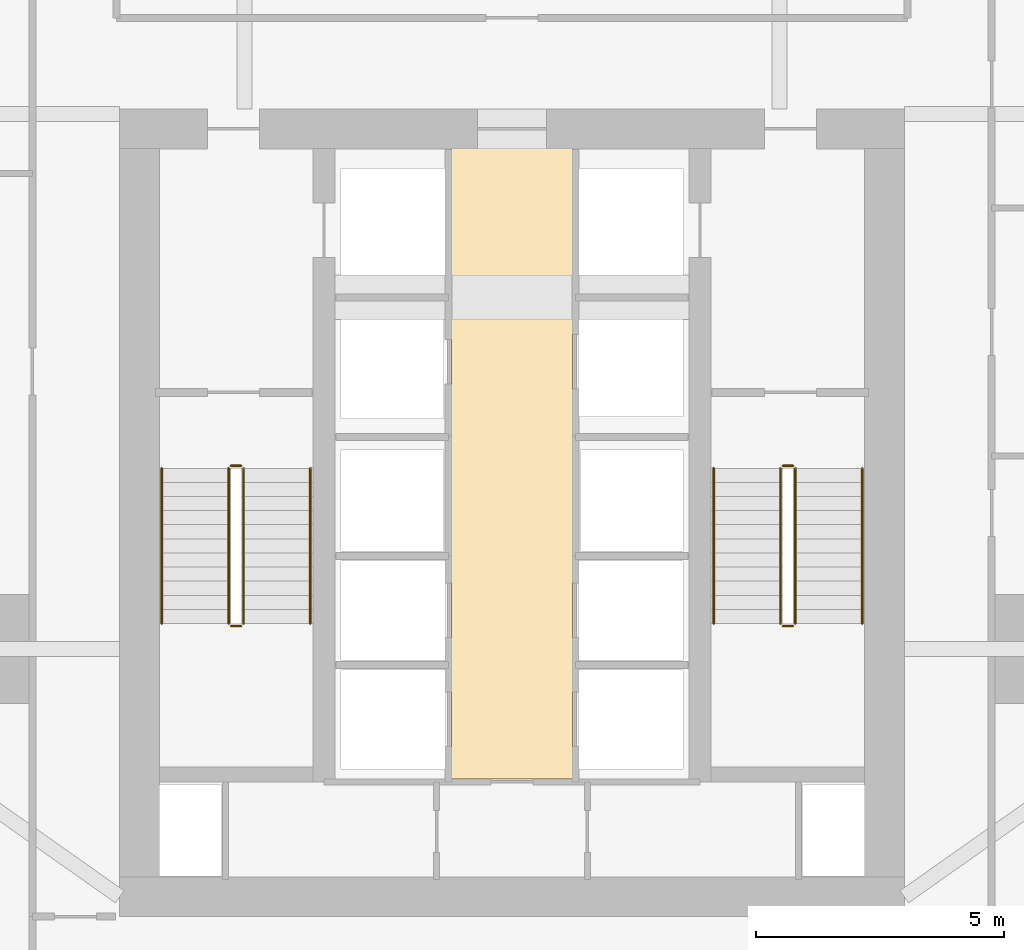
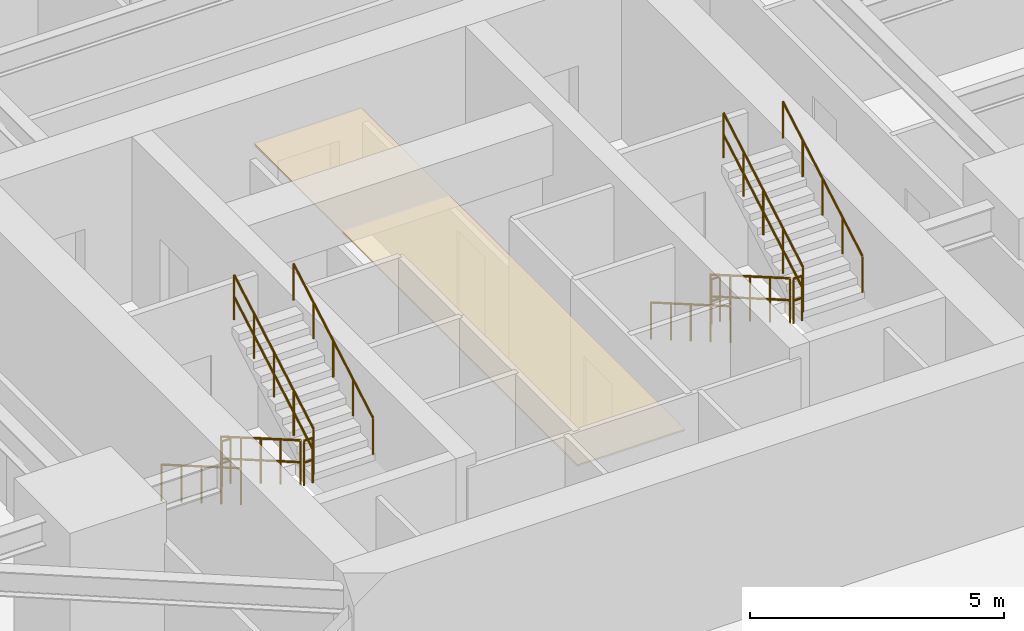
# One storey, part 29 of 30: 12 railings, 1 covering.
"""IFC4 building model written with IfcOpenShell, lengths in metres."""

from ifc_helpers import new_model, si_unit, direction, frame, origin, origin_2d, place, context, subcontext, project, spatial, polyline, circle, outline, extrude, material, layer, layer_set, type_object, element, save


model = new_model("IFC4")

# Units and contexts
model_context = context("Model", 3, precision=1e-05, world=origin(), true_north=direction((0.0, 1.0)))
body_context = subcontext(model_context, "Body", "Model", "MODEL_VIEW")
ifc_project = project(units=[si_unit("LENGTHUNIT", "METRE"), si_unit("AREAUNIT", "SQUARE_METRE"), si_unit("VOLUMEUNIT", "CUBIC_METRE"), si_unit("PLANEANGLEUNIT", "RADIAN"), si_unit("MASSUNIT", "GRAM", prefix="KILO")], contexts=[model_context])

# Site, building, storey
site_placement = place(None, origin())
site = spatial("IfcSite", under=ifc_project, at=site_placement, CompositionType="ELEMENT")
building_placement = place(site_placement, origin())
building = spatial("IfcBuilding", under=site, at=building_placement, Name="Krantzveldt Concourse Tower", CompositionType="ELEMENT")
storey_placement = place(building_placement, frame((0.0, 0.0, 44.75)))
storey = spatial("IfcBuildingStorey", under=building, at=storey_placement, Name="L10", CompositionType="ELEMENT", Elevation=44.75)

# Covering
ifc_material_1 = material(Name="Perforated acoustic mineral-fibre ceiling tile", Category="ceiling")
ifc_layer_1 = layer(ifc_material_1, 0.0400390625, Name="Perforated acoustic mineral-fibre ceiling tile", Category="ceiling")
ifc_layer_set_1 = layer_set([ifc_layer_1], Name="Perforated acoustic mineral-fibre ceiling tile (COV-CEIL-ACOUSTIC)")
covering_type = type_object("IfcCoveringType", Name="COV-CEIL-ACOUSTIC", PredefinedType="CEILING", material=ifc_layer_set_1)
covering_placement = place(storey_placement, frame((0.0, 0.0, 2.75)))
element("IfcCovering", 1, at=covering_placement, inside=storey, type_object=covering_type, Name="CLG-L10-LLB", PredefinedType="CEILING", context=body_context, shape_type="SweptSolid", body=[
    extrude(outline(polyline([(37.22509765625, 13.27490234375), (34.77490234375, 13.27490234375), (34.77490234375, 26.044921875), (37.22509765625, 26.044921875), (37.22509765625, 13.27490234375)])), origin(), (0.0, 0.0, 1.0), 0.0400390625),
])

# Railings
ifc_material_2 = material(Name="Stainless steel 316L", Category="steel")
ifc_layer_2 = layer(ifc_material_2, 0.06005859375, Name="Stainless steel 316L", Category="steel")
ifc_layer_set_2 = layer_set([ifc_layer_2], Name="Stainless steel 316L (RL-GUARD-1120)")
railing_type_1 = type_object("IfcRailingType", Name="RL-GUARD-1120", PredefinedType="GUARDRAIL", material=ifc_layer_set_2)
railing_1_placement = place(storey_placement, frame((30.280029296875, 19.550048828125, 0.16455078125)))
element("IfcRailing", 2, at=railing_1_placement, inside=storey, type_object=railing_type_1, Name="L10 ST-1 stair guard 1", PredefinedType="GUARDRAIL", context=body_context, shape_type="SweptSolid", body=[
    extrude(circle(Radius=0.02392578125, at=origin_2d()), frame((0.0, 0.0, 1.076171875), z_axis=(0.0, -0.865959834175, 0.500113552702), x_axis=(1.0, 0.0, 0.0)), (0.0, 0.0, 1.0), 3.620361328125),
    extrude(circle(Radius=0.02392578125, at=origin_2d()), frame((0.0, 0.0, 0.550048828125), z_axis=(0.0, -0.865959834175, 0.500113552702), x_axis=(1.0, 0.0, 0.0)), (0.0, 0.0, 1.0), 3.620361328125),
    extrude(circle(Radius=0.02099609375, at=origin_2d()), origin(), (0.0, 0.0, 1.0), 1.052001953125),
    extrude(circle(Radius=0.02099609375, at=origin_2d()), frame((0.0, -0.78369140625, 0.45263671875)), (0.0, 0.0, 1.0), 1.052001953125),
    extrude(circle(Radius=0.02099609375, at=origin_2d()), frame((0.0, -1.5673828125, 0.9052734375)), (0.0, 0.0, 1.0), 1.052001953125),
    extrude(circle(Radius=0.02099609375, at=origin_2d()), frame((0.0, -2.351318359375, 1.35791015625)), (0.0, 0.0, 1.0), 1.052001953125),
    extrude(circle(Radius=0.02099609375, at=origin_2d()), frame((0.0, -3.135009765625, 1.810546875)), (0.0, 0.0, 1.0), 1.052001953125),
])
railing_2_placement = place(storey_placement, frame((30.330078125, 16.364990234375, 1.97509765625)))
element("IfcRailing", 3, at=railing_2_placement, inside=storey, type_object=railing_type_1, Name="L10 ST-1 stair guard 2", PredefinedType="GUARDRAIL", context=body_context, shape_type="SweptSolid", body=[
    extrude(circle(Radius=0.02392578125, at=origin_2d()), frame((0.0, 0.0, 1.076171875), z_axis=(1.0, 0.0, 0.0), x_axis=(0.0, 1.0, 0.0)), (0.0, 0.0, 1.0), 0.199951171875),
    extrude(circle(Radius=0.02392578125, at=origin_2d()), frame((0.0, 0.0, 0.550048828125), z_axis=(1.0, 0.0, 0.0), x_axis=(0.0, 1.0, 0.0)), (0.0, 0.0, 1.0), 0.199951171875),
    extrude(circle(Radius=0.02099609375, at=origin_2d()), origin(), (0.0, 0.0, 1.0), 1.052001953125),
    extrude(circle(Radius=0.02099609375, at=origin_2d()), frame((0.199951171875, 0.0, 0.0)), (0.0, 0.0, 1.0), 1.052001953125),
])
railing_3_placement = place(storey_placement, frame((30.580078125, 16.4150390625, 2.1396484375)))
element("IfcRailing", 4, at=railing_3_placement, inside=storey, type_object=railing_type_1, Name="L10 ST-1 stair guard 3", PredefinedType="GUARDRAIL", context=body_context, shape_type="SweptSolid", body=[
    extrude(circle(Radius=0.02392578125, at=origin_2d()), frame((0.0, 0.0, 1.076171875), z_axis=(0.0, 0.865989039225, 0.500062979975), x_axis=(-1.0, 0.0, 0.0)), (0.0, 0.0, 1.0), 3.6201171875),
    extrude(circle(Radius=0.02392578125, at=origin_2d()), frame((0.0, 0.0, 0.550048828125), z_axis=(0.0, 0.865989039225, 0.500062979975), x_axis=(-1.0, 0.0, 0.0)), (0.0, 0.0, 1.0), 3.6201171875),
    extrude(circle(Radius=0.02099609375, at=origin_2d()), origin(), (0.0, 0.0, 1.0), 1.052001953125),
    extrude(circle(Radius=0.02099609375, at=origin_2d()), frame((0.0, 0.78369140625, 0.45263671875)), (0.0, 0.0, 1.0), 1.052001953125),
    extrude(circle(Radius=0.02099609375, at=origin_2d()), frame((0.0, 1.5673828125, 0.9052734375)), (0.0, 0.0, 1.0), 1.052001953125),
    extrude(circle(Radius=0.02099609375, at=origin_2d()), frame((0.0, 2.351318359375, 1.357666015625)), (0.0, 0.0, 1.0), 1.052001953125),
    extrude(circle(Radius=0.02099609375, at=origin_2d()), frame((0.0, 3.135009765625, 1.810302734375)), (0.0, 0.0, 1.0), 1.052001953125),
])
railing_4_placement = place(storey_placement, frame((30.330078125, 19.60009765625, 0.0)))
element("IfcRailing", 5, at=railing_4_placement, inside=storey, type_object=railing_type_1, Name="L10 ST-1 stair guard 4", PredefinedType="GUARDRAIL", context=body_context, shape_type="SweptSolid", body=[
    extrude(circle(Radius=0.02392578125, at=origin_2d()), frame((0.0, 0.0, 1.076171875), z_axis=(1.0, 0.0, 0.0), x_axis=(0.0, 1.0, 0.0)), (0.0, 0.0, 1.0), 0.199951171875),
    extrude(circle(Radius=0.02392578125, at=origin_2d()), frame((0.0, 0.0, 0.550048828125), z_axis=(1.0, 0.0, 0.0), x_axis=(0.0, 1.0, 0.0)), (0.0, 0.0, 1.0), 0.199951171875),
    extrude(circle(Radius=0.02099609375, at=origin_2d()), origin(), (0.0, 0.0, 1.0), 1.052001953125),
    extrude(circle(Radius=0.02099609375, at=origin_2d()), frame((0.199951171875, 0.0, 0.0)), (0.0, 0.0, 1.0), 1.052001953125),
])
railing_5_placement = place(storey_placement, frame((41.419921875, 19.550048828125, 0.16455078125)))
element("IfcRailing", 6, at=railing_5_placement, inside=storey, type_object=railing_type_1, Name="L10 ST-2 stair guard 1", PredefinedType="GUARDRAIL", context=body_context, shape_type="SweptSolid", body=[
    extrude(circle(Radius=0.02392578125, at=origin_2d()), frame((0.0, 0.0, 1.076171875), z_axis=(0.0, -0.865959834175, 0.500113552702), x_axis=(1.0, 0.0, 0.0)), (0.0, 0.0, 1.0), 3.620361328125),
    extrude(circle(Radius=0.02392578125, at=origin_2d()), frame((0.0, 0.0, 0.550048828125), z_axis=(0.0, -0.865959834175, 0.500113552702), x_axis=(1.0, 0.0, 0.0)), (0.0, 0.0, 1.0), 3.620361328125),
    extrude(circle(Radius=0.02099609375, at=origin_2d()), origin(), (0.0, 0.0, 1.0), 1.052001953125),
    extrude(circle(Radius=0.02099609375, at=origin_2d()), frame((0.0, -0.78369140625, 0.45263671875)), (0.0, 0.0, 1.0), 1.052001953125),
    extrude(circle(Radius=0.02099609375, at=origin_2d()), frame((0.0, -1.5673828125, 0.9052734375)), (0.0, 0.0, 1.0), 1.052001953125),
    extrude(circle(Radius=0.02099609375, at=origin_2d()), frame((0.0, -2.351318359375, 1.35791015625)), (0.0, 0.0, 1.0), 1.052001953125),
    extrude(circle(Radius=0.02099609375, at=origin_2d()), frame((0.0, -3.135009765625, 1.810546875)), (0.0, 0.0, 1.0), 1.052001953125),
])
railing_6_placement = place(storey_placement, frame((41.469970703125, 16.364990234375, 1.97509765625)))
element("IfcRailing", 7, at=railing_6_placement, inside=storey, type_object=railing_type_1, Name="L10 ST-2 stair guard 2", PredefinedType="GUARDRAIL", context=body_context, shape_type="SweptSolid", body=[
    extrude(circle(Radius=0.02392578125, at=origin_2d()), frame((0.0, 0.0, 1.076171875), z_axis=(1.0, 0.0, 0.0), x_axis=(0.0, 1.0, 0.0)), (0.0, 0.0, 1.0), 0.199951171875),
    extrude(circle(Radius=0.02392578125, at=origin_2d()), frame((0.0, 0.0, 0.550048828125), z_axis=(1.0, 0.0, 0.0), x_axis=(0.0, 1.0, 0.0)), (0.0, 0.0, 1.0), 0.199951171875),
    extrude(circle(Radius=0.02099609375, at=origin_2d()), origin(), (0.0, 0.0, 1.0), 1.052001953125),
    extrude(circle(Radius=0.02099609375, at=origin_2d()), frame((0.199951171875, 0.0, 0.0)), (0.0, 0.0, 1.0), 1.052001953125),
])
railing_7_placement = place(storey_placement, frame((41.719970703125, 16.4150390625, 2.1396484375)))
element("IfcRailing", 8, at=railing_7_placement, inside=storey, type_object=railing_type_1, Name="L10 ST-2 stair guard 3", PredefinedType="GUARDRAIL", context=body_context, shape_type="SweptSolid", body=[
    extrude(circle(Radius=0.02392578125, at=origin_2d()), frame((0.0, 0.0, 1.076171875), z_axis=(0.0, 0.865989039225, 0.500062979975), x_axis=(-1.0, 0.0, 0.0)), (0.0, 0.0, 1.0), 3.6201171875),
    extrude(circle(Radius=0.02392578125, at=origin_2d()), frame((0.0, 0.0, 0.550048828125), z_axis=(0.0, 0.865989039225, 0.500062979975), x_axis=(-1.0, 0.0, 0.0)), (0.0, 0.0, 1.0), 3.6201171875),
    extrude(circle(Radius=0.02099609375, at=origin_2d()), origin(), (0.0, 0.0, 1.0), 1.052001953125),
    extrude(circle(Radius=0.02099609375, at=origin_2d()), frame((0.0, 0.78369140625, 0.45263671875)), (0.0, 0.0, 1.0), 1.052001953125),
    extrude(circle(Radius=0.02099609375, at=origin_2d()), frame((0.0, 1.5673828125, 0.9052734375)), (0.0, 0.0, 1.0), 1.052001953125),
    extrude(circle(Radius=0.02099609375, at=origin_2d()), frame((0.0, 2.351318359375, 1.357666015625)), (0.0, 0.0, 1.0), 1.052001953125),
    extrude(circle(Radius=0.02099609375, at=origin_2d()), frame((0.0, 3.135009765625, 1.810302734375)), (0.0, 0.0, 1.0), 1.052001953125),
])
railing_8_placement = place(storey_placement, frame((41.469970703125, 19.60009765625, 0.0)))
element("IfcRailing", 9, at=railing_8_placement, inside=storey, type_object=railing_type_1, Name="L10 ST-2 stair guard 4", PredefinedType="GUARDRAIL", context=body_context, shape_type="SweptSolid", body=[
    extrude(circle(Radius=0.02392578125, at=origin_2d()), frame((0.0, 0.0, 1.076171875), z_axis=(1.0, 0.0, 0.0), x_axis=(0.0, 1.0, 0.0)), (0.0, 0.0, 1.0), 0.199951171875),
    extrude(circle(Radius=0.02392578125, at=origin_2d()), frame((0.0, 0.0, 0.550048828125), z_axis=(1.0, 0.0, 0.0), x_axis=(0.0, 1.0, 0.0)), (0.0, 0.0, 1.0), 0.199951171875),
    extrude(circle(Radius=0.02099609375, at=origin_2d()), origin(), (0.0, 0.0, 1.0), 1.052001953125),
    extrude(circle(Radius=0.02099609375, at=origin_2d()), frame((0.199951171875, 0.0, 0.0)), (0.0, 0.0, 1.0), 1.052001953125),
])
ifc_layer_3 = layer(ifc_material_2, 0.050048828125, Name="Stainless steel 316L", Category="steel")
ifc_layer_set_3 = layer_set([ifc_layer_3], Name="Stainless steel 316L (RL-HANDRAIL-920)")
railing_type_2 = type_object("IfcRailingType", Name="RL-HANDRAIL-920", PredefinedType="HANDRAIL", material=ifc_layer_set_3)
railing_9_placement = place(storey_placement, frame((28.929931640625, 19.550048828125, 0.16455078125)))
element("IfcRailing", 10, at=railing_9_placement, inside=storey, type_object=railing_type_2, Name="L10 ST-1 stair handrail 1", PredefinedType="HANDRAIL", context=body_context, shape_type="SweptSolid", body=[
    extrude(circle(Radius=0.02392578125, at=origin_2d()), frame((0.0, 0.0, 0.8759765625), z_axis=(0.0, -0.865959834175, 0.500113552702), x_axis=(1.0, 0.0, 0.0)), (0.0, 0.0, 1.0), 3.620361328125),
    extrude(circle(Radius=0.02099609375, at=origin_2d()), origin(), (0.0, 0.0, 1.0), 0.851806640625),
    extrude(circle(Radius=0.02099609375, at=origin_2d()), frame((0.0, -0.78369140625, 0.45263671875)), (0.0, 0.0, 1.0), 0.851806640625),
    extrude(circle(Radius=0.02099609375, at=origin_2d()), frame((0.0, -1.5673828125, 0.9052734375)), (0.0, 0.0, 1.0), 0.851806640625),
    extrude(circle(Radius=0.02099609375, at=origin_2d()), frame((0.0, -2.351318359375, 1.35791015625)), (0.0, 0.0, 1.0), 0.851806640625),
    extrude(circle(Radius=0.02099609375, at=origin_2d()), frame((0.0, -3.135009765625, 1.810546875)), (0.0, 0.0, 1.0), 0.851806640625),
])
railing_10_placement = place(storey_placement, frame((31.929931640625, 16.4150390625, 2.1396484375)))
element("IfcRailing", 11, at=railing_10_placement, inside=storey, type_object=railing_type_2, Name="L10 ST-1 stair handrail 2", PredefinedType="HANDRAIL", context=body_context, shape_type="SweptSolid", body=[
    extrude(circle(Radius=0.02392578125, at=origin_2d()), frame((0.0, 0.0, 0.8759765625), z_axis=(0.0, 0.865989039225, 0.500062979975), x_axis=(-1.0, 0.0, 0.0)), (0.0, 0.0, 1.0), 3.6201171875),
    extrude(circle(Radius=0.02099609375, at=origin_2d()), origin(), (0.0, 0.0, 1.0), 0.851806640625),
    extrude(circle(Radius=0.02099609375, at=origin_2d()), frame((0.0, 0.78369140625, 0.45263671875)), (0.0, 0.0, 1.0), 0.851806640625),
    extrude(circle(Radius=0.02099609375, at=origin_2d()), frame((0.0, 1.5673828125, 0.9052734375)), (0.0, 0.0, 1.0), 0.851806640625),
    extrude(circle(Radius=0.02099609375, at=origin_2d()), frame((0.0, 2.351318359375, 1.357666015625)), (0.0, 0.0, 1.0), 0.851806640625),
    extrude(circle(Radius=0.02099609375, at=origin_2d()), frame((0.0, 3.135009765625, 1.810302734375)), (0.0, 0.0, 1.0), 0.851806640625),
])
railing_11_placement = place(storey_placement, frame((40.070068359375, 19.550048828125, 0.16455078125)))
element("IfcRailing", 12, at=railing_11_placement, inside=storey, type_object=railing_type_2, Name="L10 ST-2 stair handrail 1", PredefinedType="HANDRAIL", context=body_context, shape_type="SweptSolid", body=[
    extrude(circle(Radius=0.02392578125, at=origin_2d()), frame((0.0, 0.0, 0.8759765625), z_axis=(0.0, -0.865959834175, 0.500113552702), x_axis=(1.0, 0.0, 0.0)), (0.0, 0.0, 1.0), 3.620361328125),
    extrude(circle(Radius=0.02099609375, at=origin_2d()), origin(), (0.0, 0.0, 1.0), 0.851806640625),
    extrude(circle(Radius=0.02099609375, at=origin_2d()), frame((0.0, -0.78369140625, 0.45263671875)), (0.0, 0.0, 1.0), 0.851806640625),
    extrude(circle(Radius=0.02099609375, at=origin_2d()), frame((0.0, -1.5673828125, 0.9052734375)), (0.0, 0.0, 1.0), 0.851806640625),
    extrude(circle(Radius=0.02099609375, at=origin_2d()), frame((0.0, -2.351318359375, 1.35791015625)), (0.0, 0.0, 1.0), 0.851806640625),
    extrude(circle(Radius=0.02099609375, at=origin_2d()), frame((0.0, -3.135009765625, 1.810546875)), (0.0, 0.0, 1.0), 0.851806640625),
])
railing_12_placement = place(storey_placement, frame((43.070068359375, 16.4150390625, 2.1396484375)))
element("IfcRailing", 13, at=railing_12_placement, inside=storey, type_object=railing_type_2, Name="L10 ST-2 stair handrail 2", PredefinedType="HANDRAIL", context=body_context, shape_type="SweptSolid", body=[
    extrude(circle(Radius=0.02392578125, at=origin_2d()), frame((0.0, 0.0, 0.8759765625), z_axis=(0.0, 0.865989039225, 0.500062979975), x_axis=(-1.0, 0.0, 0.0)), (0.0, 0.0, 1.0), 3.6201171875),
    extrude(circle(Radius=0.02099609375, at=origin_2d()), origin(), (0.0, 0.0, 1.0), 0.851806640625),
    extrude(circle(Radius=0.02099609375, at=origin_2d()), frame((0.0, 0.78369140625, 0.45263671875)), (0.0, 0.0, 1.0), 0.851806640625),
    extrude(circle(Radius=0.02099609375, at=origin_2d()), frame((0.0, 1.5673828125, 0.9052734375)), (0.0, 0.0, 1.0), 0.851806640625),
    extrude(circle(Radius=0.02099609375, at=origin_2d()), frame((0.0, 2.351318359375, 1.357666015625)), (0.0, 0.0, 1.0), 0.851806640625),
    extrude(circle(Radius=0.02099609375, at=origin_2d()), frame((0.0, 3.135009765625, 1.810302734375)), (0.0, 0.0, 1.0), 0.851806640625),
])

save(model, "model.ifc")
